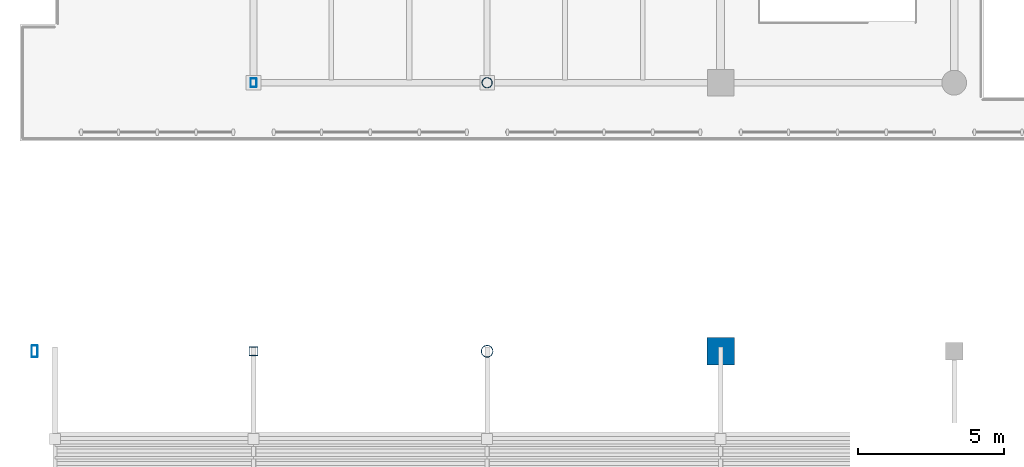
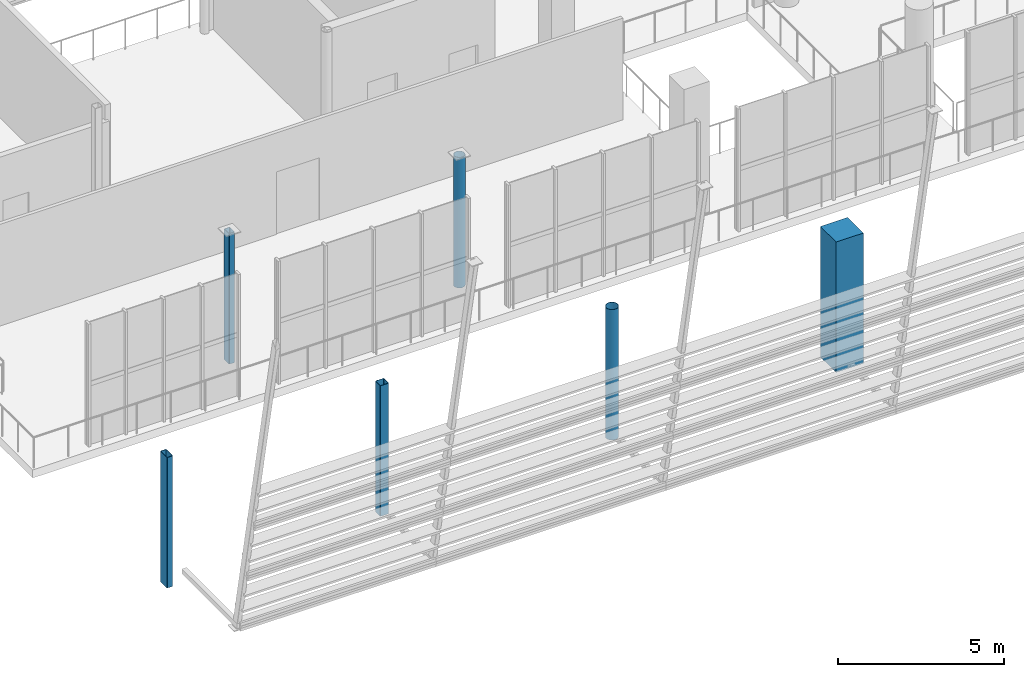
# One storey, part 1 of 93: 6 columns.
"""IFC4 building model written with IfcOpenShell, lengths in metres."""

from ifc_helpers import new_model, si_unit, direction, frame, origin, origin_2d, place, context, subcontext, project, spatial, rectangle, hollow_rectangle, hollow_circle, extrude, material, material_profile, profile_set, type_object, element, save


model = new_model("IFC4")

# Units and contexts
model_context = context("Model", 3, precision=1e-05, world=origin(), true_north=direction((0.0, 1.0)))
body_context = subcontext(model_context, "Body", "Model", "MODEL_VIEW")
ifc_project = project(units=[si_unit("LENGTHUNIT", "METRE"), si_unit("AREAUNIT", "SQUARE_METRE"), si_unit("VOLUMEUNIT", "CUBIC_METRE"), si_unit("PLANEANGLEUNIT", "RADIAN"), si_unit("MASSUNIT", "GRAM", prefix="KILO")], contexts=[model_context])

# Site, building, storey
site_placement = place(None, origin())
site = spatial("IfcSite", under=ifc_project, at=site_placement, CompositionType="ELEMENT")
building_placement = place(site_placement, origin())
building = spatial("IfcBuilding", under=site, at=building_placement, Name="Brisemont Oceanarium", CompositionType="ELEMENT")
storey_placement = place(building_placement, frame((0.0, 0.0, 5.39990234375)))
storey = spatial("IfcBuildingStorey", under=building, at=storey_placement, Name="L01", CompositionType="ELEMENT", Elevation=5.39990234375)

# Columns
ifc_material_1 = material(Name="Structural Steel ASTM A500 Gr.C", Category="steel")
ifc_material_profile_1 = material_profile(ifc_material_1, hollow_circle(Radius=0.177978515625, WallThickness=0.01171875, at=origin_2d()), Name="HSS14.000X0.500")
ifc_profile_set_1 = profile_set([ifc_material_profile_1], Name="Structural Steel ASTM A500 Gr.C")
column_type_1 = type_object("IfcColumnType", Name="COL-CHS14", PredefinedType="COLUMN", material=ifc_profile_set_1)
column_1_placement = place(storey_placement, frame((24.0, 16.0, 0.0), z_axis=(0.0, 0.0, 1.0), x_axis=(0.0, 1.0, 0.0)))
element("IfcColumn", 1, at=column_1_placement, inside=storey, type_object=column_type_1, Name="V2 L01 column (2,1)", PredefinedType="COLUMN", context=body_context, shape_type="SweptSolid", body=[
    extrude(hollow_circle(Radius=0.177978515625, WallThickness=0.01171875, at=origin_2d()), origin(), (0.0, 0.0, 1.0), 4.800048828125),
])
ifc_material_2 = material(Name="Structural Steel ASTM A500 Gr.C", Category="steel")
ifc_material_profile_2 = material_profile(ifc_material_2, hollow_circle(Radius=0.202880859375, WallThickness=0.01171875, at=origin_2d()), Name="HSS16.000X0.500")
ifc_profile_set_2 = profile_set([ifc_material_profile_2], Name="Structural Steel ASTM A500 Gr.C")
column_type_2 = type_object("IfcColumnType", Name="COL-CHS16", PredefinedType="COLUMN", material=ifc_profile_set_2)
column_2_placement = place(storey_placement, frame((24.0, 6.800048828125, 0.0), z_axis=(0.0, 0.0, 1.0), x_axis=(1.0, 0.0, 0.0)))
element("IfcColumn", 2, at=column_2_placement, inside=storey, type_object=column_type_2, Name="V2 L01 column (2,0)", PredefinedType="COLUMN", context=body_context, shape_type="SweptSolid", body=[
    extrude(hollow_circle(Radius=0.202880859375, WallThickness=0.01171875, at=origin_2d()), origin(), (0.0, 0.0, 1.0), 4.800048828125),
])
ifc_material_3 = material(Name="Structural Steel ASTM A500 Gr.C", Category="steel")
ifc_material_profile_3 = material_profile(ifc_material_3, hollow_rectangle(XDim=0.304931640625, YDim=0.304931640625, WallThickness=0.01171875, InnerFilletRadius=0.01220703125, OuterFilletRadius=0.02392578125, at=origin_2d()), Name="HSS12X12X1/2")
ifc_profile_set_3 = profile_set([ifc_material_profile_3], Name="Structural Steel ASTM A500 Gr.C")
column_type_3 = type_object("IfcColumnType", Name="COL-HSS12X12", PredefinedType="COLUMN", material=ifc_profile_set_3)
column_3_placement = place(storey_placement, frame((16.0, 6.800048828125, 0.0), z_axis=(0.0, 0.0, 1.0), x_axis=(0.0, 1.0, 0.0)))
element("IfcColumn", 3, at=column_3_placement, inside=storey, type_object=column_type_3, Name="V2 L01 column (1,0)", PredefinedType="COLUMN", context=body_context, shape_type="SweptSolid", body=[
    extrude(hollow_rectangle(XDim=0.304931640625, YDim=0.304931640625, WallThickness=0.01171875, InnerFilletRadius=0.01220703125, OuterFilletRadius=0.02392578125, at=origin_2d()), origin(), (0.0, 0.0, 1.0), 4.800048828125),
])
ifc_material_4 = material(Name="Structural Steel ASTM A500 Gr.C", Category="steel")
ifc_material_profile_4 = material_profile(ifc_material_4, hollow_rectangle(XDim=0.202880859375, YDim=0.304931640625, WallThickness=0.0087890625, InnerFilletRadius=0.009033203125, OuterFilletRadius=0.01806640625, at=origin_2d()), Name="HSS12X8X3/8")
ifc_profile_set_4 = profile_set([ifc_material_profile_4], Name="Structural Steel ASTM A500 Gr.C")
column_type_4 = type_object("IfcColumnType", Name="COL-HSS12X8", PredefinedType="COLUMN", material=ifc_profile_set_4)
column_4_placement = place(storey_placement, frame((16.0, 16.0, 0.0), z_axis=(0.0, 0.0, 1.0), x_axis=(1.0, 0.0, 0.0)))
element("IfcColumn", 4, at=column_4_placement, inside=storey, type_object=column_type_4, Name="V2 L01 column (1,1)", PredefinedType="COLUMN", context=body_context, shape_type="SweptSolid", body=[
    extrude(hollow_rectangle(XDim=0.202880859375, YDim=0.304931640625, WallThickness=0.0087890625, InnerFilletRadius=0.009033203125, OuterFilletRadius=0.01806640625, at=origin_2d()), origin(), (0.0, 0.0, 1.0), 4.800048828125),
])
ifc_material_5 = material(Name="Structural Steel ASTM A500 Gr.C", Category="steel")
ifc_material_profile_5 = material_profile(ifc_material_5, hollow_rectangle(XDim=0.202880859375, YDim=0.406005859375, WallThickness=0.01171875, InnerFilletRadius=0.01220703125, OuterFilletRadius=0.02392578125, at=origin_2d()), Name="HSS16X8X1/2")
ifc_profile_set_5 = profile_set([ifc_material_profile_5], Name="Structural Steel ASTM A500 Gr.C")
column_type_5 = type_object("IfcColumnType", Name="COL-HSS16X8", PredefinedType="COLUMN", material=ifc_profile_set_5)
column_5_placement = place(storey_placement, frame((8.5, 6.800048828125, 0.0), z_axis=(0.0, 0.0, 1.0), x_axis=(1.0, 0.0, 0.0)))
element("IfcColumn", 5, at=column_5_placement, inside=storey, type_object=column_type_5, Name="V2 L01 column (0,0)", PredefinedType="COLUMN", context=body_context, shape_type="SweptSolid", body=[
    extrude(hollow_rectangle(XDim=0.202880859375, YDim=0.406005859375, WallThickness=0.01171875, InnerFilletRadius=0.01220703125, OuterFilletRadius=0.02392578125, at=origin_2d()), origin(), (0.0, 0.0, 1.0), 4.800048828125),
])
ifc_material_6 = material(Name="Concrete C40/50", Category="concrete")
ifc_material_profile_6 = material_profile(ifc_material_6, rectangle(XDim=0.949951171875, YDim=0.949951171875, at=origin_2d()), Name="RC-COL-950X950")
ifc_profile_set_6 = profile_set([ifc_material_profile_6], Name="Concrete C40/50")
column_type_6 = type_object("IfcColumnType", Name="COL-RC950", PredefinedType="COLUMN", material=ifc_profile_set_6)
column_6_placement = place(storey_placement, frame((32.0, 6.800048828125, 0.0), z_axis=(0.0, 0.0, 1.0), x_axis=(0.0, 1.0, 0.0)))
element("IfcColumn", 6, at=column_6_placement, inside=storey, type_object=column_type_6, Name="V2 L01 column (3,0)", PredefinedType="COLUMN", context=body_context, shape_type="SweptSolid", body=[
    extrude(rectangle(XDim=0.949951171875, YDim=0.949951171875, at=origin_2d()), origin(), (0.0, 0.0, 1.0), 4.800048828125),
])

save(model, "model.ifc")
